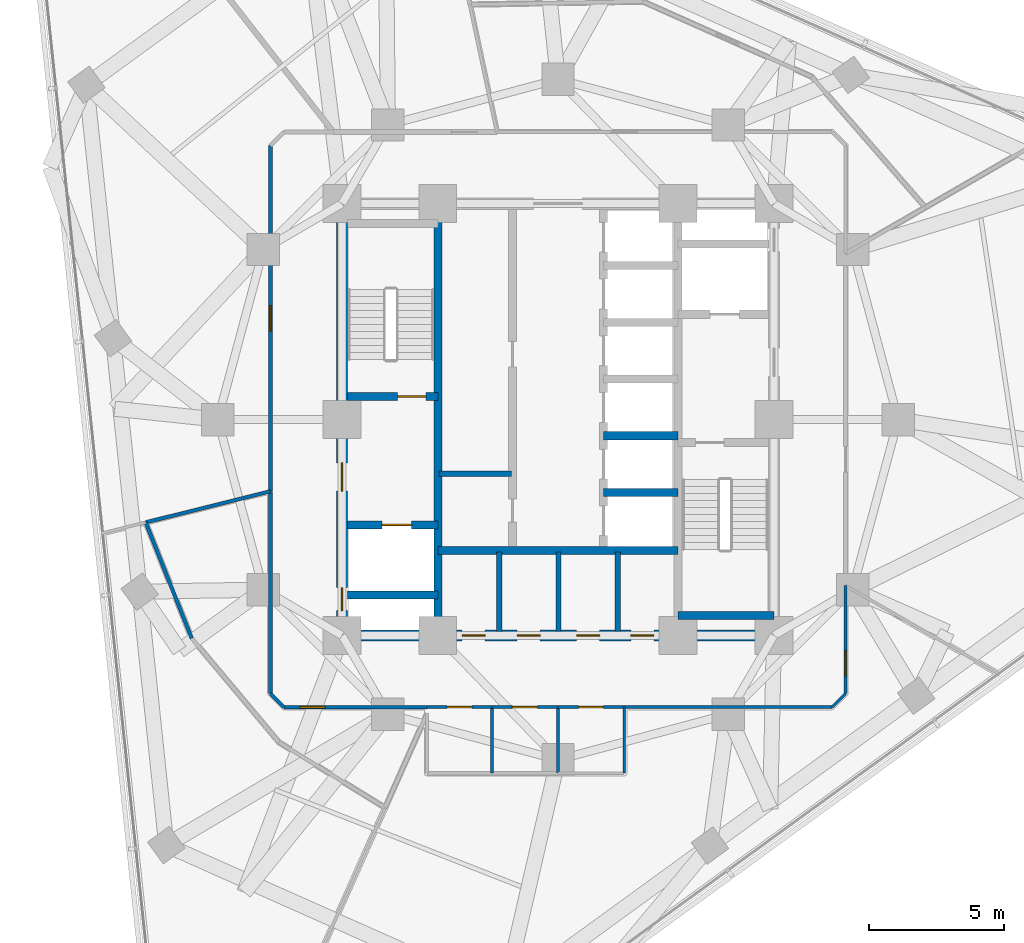
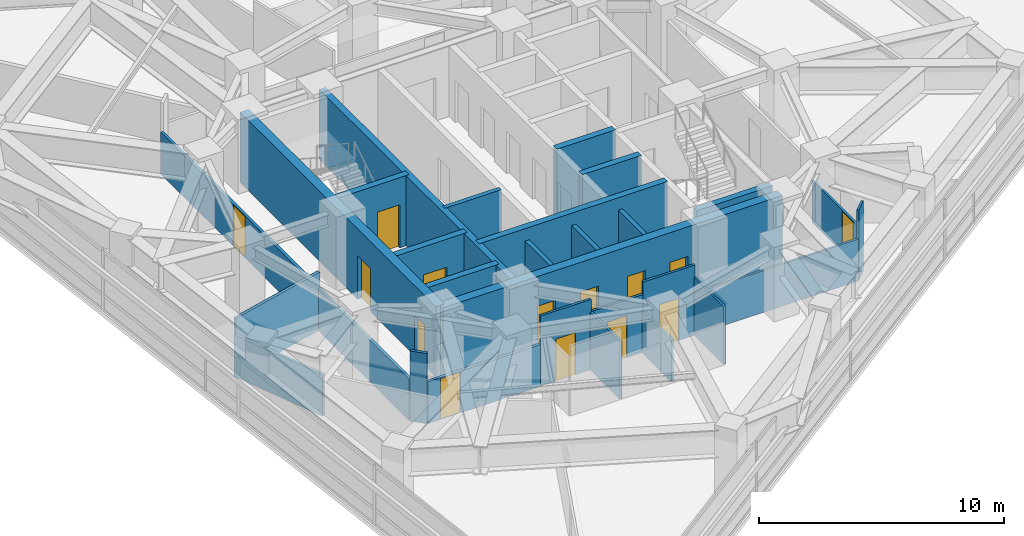
# One storey, part 8 of 14: 29 walls, 14 doors, 14 openings.
"""IFC4 building model written with IfcOpenShell, lengths in metres."""

from ifc_helpers import new_model, si_unit, direction, frame, frame_2d, origin, place, context, subcontext, project, spatial, rectangle, extrude, material, layer, layer_set, type_object, element, fill, save


model = new_model("IFC4")

# Units and contexts
model_context = context("Model", 3, precision=1e-05, world=origin(), true_north=direction((0.0, 1.0)))
body_context = subcontext(model_context, "Body", "Model", "MODEL_VIEW")
ifc_project = project(units=[si_unit("LENGTHUNIT", "METRE"), si_unit("AREAUNIT", "SQUARE_METRE"), si_unit("VOLUMEUNIT", "CUBIC_METRE"), si_unit("PLANEANGLEUNIT", "RADIAN"), si_unit("MASSUNIT", "GRAM", prefix="KILO")], contexts=[model_context])

# Site, building, storey
site_placement = place(None, origin())
site = spatial("IfcSite", under=ifc_project, at=site_placement, CompositionType="ELEMENT")
building_placement = place(site_placement, origin())
building = spatial("IfcBuilding", under=site, at=building_placement, Name="Terralouvre Media Tower", CompositionType="ELEMENT")
storey_placement = place(building_placement, frame((0.0, 0.0, 180.5)))
storey = spatial("IfcBuildingStorey", under=building, at=storey_placement, Name="L46", CompositionType="ELEMENT", Elevation=180.5)

# Wall
ifc_material_1 = material(Name="Concrete C50/60", Category="concrete")
ifc_layer_1 = layer(ifc_material_1, 0.300048828125, Name="Core Internal Shaft Wall CW-300")
ifc_layer_set_1 = layer_set([ifc_layer_1], Name="Concrete C50/60")
wall_type_1 = type_object("IfcWallType", Name="Core Internal Shaft Wall CW-300", PredefinedType="SHEAR", material=ifc_layer_set_1)
wall_1_placement = place(storey_placement, frame((-4.449951171875, -7.7900390625, 0.0), z_axis=(0.0, 0.0, 1.0), x_axis=(0.0, 1.0, 0.0)))
element("IfcWall", 1, at=wall_1_placement, inside=storey, type_object=wall_type_1, Name="L46 Core Shaft Wall SPW", PredefinedType="SHEAR", context=body_context, shape_type="SweptSolid", body=[
    extrude(rectangle(XDim=15.580078125, YDim=0.300048828125, at=frame_2d((7.7900390625, 0.0))), origin(), (0.0, 0.0, 1.0), 3.5),
])

# Wall, opening, door
wall_2_placement = place(storey_placement, frame((-7.7900390625, 0.85009765625, 0.0), z_axis=(0.0, 0.0, 1.0), x_axis=(1.0, 0.0, 0.0)))
wall_2 = element("IfcWall", 2, at=wall_2_placement, inside=storey, type_object=wall_type_1, Name="L46 Core Shaft Wall ST1D", PredefinedType="SHEAR", context=body_context, shape_type="SweptSolid", body=[
    extrude(rectangle(XDim=3.340087890625, YDim=0.300048828125, at=frame_2d((1.669921875, 0.0))), origin(), (0.0, 0.0, 1.0), 3.5),
])
opening_1_placement = place(wall_2_placement, frame((1.85009765625, 0.0, 0.0)))
opening_1 = element("IfcOpeningElement", 3, at=opening_1_placement, cuts=wall_2, Name="Opening FD-01-105X215", PredefinedType="OPENING", context=body_context, shape_type="SweptSolid", body=[
    extrude(rectangle(XDim=1.050048828125, YDim=2.14990234375, at=frame_2d((0.52490234375, 1.074951171875))), frame((0.0, 0.159912109375, 0.0), z_axis=(0.0, -1.0, 0.0), x_axis=(1.0, 0.0, 0.0)), (0.0, 0.0, 1.0), 0.320068359375),
])
ifc_material_2 = material(Name="Galvanised steel fire-resisting leaf", Category="steel")
door_type_1 = type_object("IfcDoorType", Name="Stair and Firefighting Lobby Fire Door FD-01 (1050x2150)", OperationType="NOTDEFINED", PredefinedType="DOOR", material=ifc_material_2)
door_1_placement = place(opening_1_placement, origin())
door_1 = element("IfcDoor", 4, at=door_1_placement, inside=storey, type_object=door_type_1, Name="L46 ST-01 Exit Stair Door", OperationType="SINGLE_SWING_LEFT", OverallHeight=2.14990234375, OverallWidth=1.050048828125, PredefinedType="DOOR", context=body_context, shape_type="SweptSolid", body=[
    extrude(rectangle(XDim=1.050048828125, YDim=2.14990234375, at=frame_2d((0.52490234375, 1.074951171875))), frame((0.0, 0.02490234375, 0.0), z_axis=(0.0, -1.0, 0.0), x_axis=(1.0, 0.0, 0.0)), (0.0, 0.0, 1.0), 0.050048828125),
])
fill(opening_1, door_1)

# Wall
wall_3_placement = place(storey_placement, frame((4.449951171875, -7.260009765625, 0.0), z_axis=(0.0, 0.0, 1.0), x_axis=(1.0, 0.0, 0.0)))
element("IfcWall", 5, at=wall_3_placement, inside=storey, type_object=wall_type_1, Name="L46 Core Shaft Wall ST2F", PredefinedType="SHEAR", context=body_context, shape_type="SweptSolid", body=[
    extrude(rectangle(XDim=3.550048828125, YDim=0.300048828125, at=frame_2d((1.77490234375, 0.0))), origin(), (0.0, 0.0, 1.0), 3.5),
])

# Wall, opening, door
wall_4_placement = place(storey_placement, frame((-7.7900390625, -3.89990234375, 0.0), z_axis=(0.0, 0.0, 1.0), x_axis=(1.0, 0.0, 0.0)))
wall_4 = element("IfcWall", 6, at=wall_4_placement, inside=storey, type_object=wall_type_1, Name="L46 Core Shaft Wall FF1N", PredefinedType="SHEAR", context=body_context, shape_type="SweptSolid", body=[
    extrude(rectangle(XDim=3.340087890625, YDim=0.300048828125, at=frame_2d((1.669921875, 0.0))), origin(), (0.0, 0.0, 1.0), 3.5),
])
opening_2_placement = place(wall_4_placement, frame((1.27001953125, 0.0, 0.0)))
opening_2 = element("IfcOpeningElement", 7, at=opening_2_placement, cuts=wall_4, Name="Opening LD-FF", PredefinedType="OPENING", context=body_context, shape_type="SweptSolid", body=[
    extrude(rectangle(XDim=1.10009765625, YDim=2.10009765625, at=frame_2d((0.550048828125, 1.050048828125))), frame((0.0, 0.159912109375, 0.0), z_axis=(0.0, -1.0, 0.0), x_axis=(1.0, 0.0, 0.0)), (0.0, 0.0, 1.0), 0.320068359375),
])
ifc_material_3 = material(Name="Stainless steel 316 handrail and balustrade", Category="steel")
door_type_2 = type_object("IfcDoorType", Name="Firefighting Lift Sliding Landing Door LD-FF", OperationType="SLIDING_TO_LEFT", PredefinedType="DOOR", material=ifc_material_3)
door_2_placement = place(opening_2_placement, origin())
door_2 = element("IfcDoor", 8, at=door_2_placement, inside=storey, type_object=door_type_2, Name="L46 Firefighting Lift FFL-01 Landing Door", OperationType="SLIDING_TO_LEFT", OverallHeight=2.10009765625, OverallWidth=1.10009765625, PredefinedType="DOOR", context=body_context, shape_type="SweptSolid", body=[
    extrude(rectangle(XDim=1.10009765625, YDim=2.10009765625, at=frame_2d((0.550048828125, 1.050048828125))), frame((0.0, 0.02490234375, 0.0), z_axis=(0.0, -1.0, 0.0), x_axis=(1.0, 0.0, 0.0)), (0.0, 0.0, 1.0), 0.050048828125),
])
fill(opening_2, door_2)

# Walls
wall_5_placement = place(storey_placement, frame((-7.7900390625, -6.5, 0.0), z_axis=(0.0, 0.0, 1.0), x_axis=(1.0, 0.0, 0.0)))
element("IfcWall", 9, at=wall_5_placement, inside=storey, type_object=wall_type_1, Name="L46 Core Shaft Wall FF1S", PredefinedType="SHEAR", context=body_context, shape_type="SweptSolid", body=[
    extrude(rectangle(XDim=3.340087890625, YDim=0.300048828125, at=frame_2d((1.669921875, 0.0))), origin(), (0.0, 0.0, 1.0), 3.5),
])
wall_6_placement = place(storey_placement, frame((-4.449951171875, -4.85009765625, 0.0), z_axis=(0.0, 0.0, 1.0), x_axis=(1.0, 0.0, 0.0)))
element("IfcWall", 10, at=wall_6_placement, inside=storey, type_object=wall_type_1, Name="L46 Core Shaft Wall CSBN", PredefinedType="SHEAR", context=body_context, shape_type="SweptSolid", body=[
    extrude(rectangle(XDim=8.89990234375, YDim=0.300048828125, at=frame_2d((4.449951171875, 0.0))), origin(), (0.0, 0.0, 1.0), 3.5),
])
for number, where, z_axis, x_axis, name in (
    (11, (1.679931640625, -2.699951171875, 0.0), (0.0, 0.0, 1.0), (1.0, 0.0, 0.0), "L46 Core Shaft Wall PLHD1"),
    (12, (1.679931640625, -0.60009765625, 0.0), (0.0, 0.0, 1.0), (1.0, 0.0, 0.0), "L46 Core Shaft Wall PLHD2"),
):
    element("IfcWall", number, at=place(storey_placement, frame(where, z_axis=z_axis, x_axis=x_axis)), inside=storey, type_object=wall_type_1, Name=name, PredefinedType="SHEAR", context=body_context, shape_type="SweptSolid", body=[
        extrude(rectangle(XDim=2.77001953125, YDim=0.300048828125, at=frame_2d((1.385009765625, 0.0))), origin(), (0.0, 0.0, 1.0), 3.5),
    ])

# Wall, openings, doors
ifc_material_4 = material(Name="Concrete C60/75", Category="concrete")
ifc_layer_2 = layer(ifc_material_4, 0.419921875, Name="Core Reinforced Concrete Shear Wall CW-420")
ifc_layer_set_2 = layer_set([ifc_layer_2], Name="Concrete C60/75")
wall_type_2 = type_object("IfcWallType", Name="Core Reinforced Concrete Shear Wall CW-420", PredefinedType="SHEAR", material=ifc_layer_set_2)
wall_7_placement = place(storey_placement, frame((-8.0, -8.0, 0.0), z_axis=(0.0, 0.0, 1.0), x_axis=(0.0, 1.0, 0.0)))
wall_7 = element("IfcWall", 13, at=wall_7_placement, inside=storey, type_object=wall_type_2, Name="L46 W Core Shear Wall", PredefinedType="SHEAR", context=body_context, shape_type="SweptSolid", body=[
    extrude(rectangle(XDim=16.0, YDim=0.419921875, at=frame_2d((8.0, 0.0))), origin(), (0.0, 0.0, 1.0), 3.5),
])
opening_3_placement = place(wall_7_placement, frame((0.921630859375, 0.0, 0.0)))
opening_3 = element("IfcOpeningElement", 14, at=opening_3_placement, cuts=wall_7, Name="Opening TD-R1", PredefinedType="OPENING", context=body_context, shape_type="SweptSolid", body=[
    extrude(rectangle(XDim=0.85009765625, YDim=2.02001953125, at=frame_2d((0.425048828125, 1.010009765625))), frame((0.0, 0.219970703125, 0.0), z_axis=(0.0, -1.0, 0.0), x_axis=(1.0, 0.0, 0.0)), (0.0, 0.0, 1.0), 0.43994140625),
])
opening_4_placement = place(wall_7_placement, frame((5.35009765625, 0.0, 0.0)))
opening_4 = element("IfcOpeningElement", 15, at=opening_4_placement, cuts=wall_7, Name="Opening FD-01-105X215", PredefinedType="OPENING", context=body_context, shape_type="SweptSolid", body=[
    extrude(rectangle(XDim=1.050048828125, YDim=2.14990234375, at=frame_2d((0.52490234375, 1.074951171875))), frame((0.0, 0.219970703125, 0.0), z_axis=(0.0, -1.0, 0.0), x_axis=(1.0, 0.0, 0.0)), (0.0, 0.0, 1.0), 0.43994140625),
])
ifc_material_5 = material(Name="Galvanised steel fire-resisting leaf", Category="steel")
door_type_3 = type_object("IfcDoorType", Name="Riser Inspection Access Trapdoor TD-R1", OperationType="NOTDEFINED", PredefinedType="TRAPDOOR", material=ifc_material_5)
door_3_placement = place(opening_3_placement, origin())
door_3 = element("IfcDoor", 16, at=door_3_placement, inside=storey, type_object=door_type_3, Name="L46 Wet Riser Access Trapdoor", OperationType="SINGLE_SWING_LEFT", OverallHeight=2.02001953125, OverallWidth=0.85009765625, PredefinedType="TRAPDOOR", context=body_context, shape_type="SweptSolid", body=[
    extrude(rectangle(XDim=0.85009765625, YDim=2.02001953125, at=frame_2d((0.425048828125, 1.010009765625))), frame((0.0, 0.02490234375, 0.0), z_axis=(0.0, -1.0, 0.0), x_axis=(1.0, 0.0, 0.0)), (0.0, 0.0, 1.0), 0.050048828125),
])
fill(opening_3, door_3)
door_4_placement = place(opening_4_placement, origin())
door_4 = element("IfcDoor", 17, at=door_4_placement, inside=storey, type_object=door_type_1, Name="L46 West Firefighting Lobby Entry Door", OperationType="SINGLE_SWING_RIGHT", OverallHeight=2.14990234375, OverallWidth=1.050048828125, PredefinedType="DOOR", context=body_context, shape_type="SweptSolid", body=[
    extrude(rectangle(XDim=1.050048828125, YDim=2.14990234375, at=frame_2d((0.52490234375, 1.074951171875))), frame((0.0, 0.02490234375, 0.0), z_axis=(0.0, -1.0, 0.0), x_axis=(1.0, 0.0, 0.0)), (0.0, 0.0, 1.0), 0.050048828125),
])
fill(opening_4, door_4)

wall_8_placement = place(storey_placement, frame((-8.0, -8.0, 0.0), z_axis=(0.0, 0.0, 1.0), x_axis=(1.0, 0.0, 0.0)))
wall_8 = element("IfcWall", 18, at=wall_8_placement, inside=storey, type_object=wall_type_2, Name="L46 S Core Shear Wall", PredefinedType="SHEAR", context=body_context, shape_type="SweptSolid", body=[
    extrude(rectangle(XDim=16.0, YDim=0.419921875, at=frame_2d((8.0, 0.0))), origin(), (0.0, 0.0, 1.0), 3.5),
])
opening_5_placement = place(wall_8_placement, frame((4.44873046875, 0.0, 0.0)))
opening_5 = element("IfcOpeningElement", 19, at=opening_5_placement, cuts=wall_8, Name="Opening TD-R1", PredefinedType="OPENING", context=body_context, shape_type="SweptSolid", body=[
    extrude(rectangle(XDim=0.85009765625, YDim=2.02001953125, at=frame_2d((0.425048828125, 1.010009765625))), frame((0.0, 0.219970703125, 0.0), z_axis=(0.0, -1.0, 0.0), x_axis=(1.0, 0.0, 0.0)), (0.0, 0.0, 1.0), 0.43994140625),
])
opening_6_placement = place(wall_8_placement, frame((6.489990234375, 0.0, 0.0)))
opening_6 = element("IfcOpeningElement", 20, at=opening_6_placement, cuts=wall_8, Name="Opening TD-R1", PredefinedType="OPENING", context=body_context, shape_type="SweptSolid", body=[
    extrude(rectangle(XDim=0.85009765625, YDim=2.02001953125, at=frame_2d((0.425048828125, 1.010009765625))), frame((0.0, 0.219970703125, 0.0), z_axis=(0.0, -1.0, 0.0), x_axis=(1.0, 0.0, 0.0)), (0.0, 0.0, 1.0), 0.43994140625),
])
opening_7_placement = place(wall_8_placement, frame((8.68994140625, 0.0, 0.0)))
opening_7 = element("IfcOpeningElement", 21, at=opening_7_placement, cuts=wall_8, Name="Opening TD-R1", PredefinedType="OPENING", context=body_context, shape_type="SweptSolid", body=[
    extrude(rectangle(XDim=0.85009765625, YDim=2.02001953125, at=frame_2d((0.425048828125, 1.010009765625))), frame((0.0, 0.219970703125, 0.0), z_axis=(0.0, -1.0, 0.0), x_axis=(1.0, 0.0, 0.0)), (0.0, 0.0, 1.0), 0.43994140625),
])
opening_8_placement = place(wall_8_placement, frame((10.701416015625, 0.0, 0.0)))
opening_8 = element("IfcOpeningElement", 22, at=opening_8_placement, cuts=wall_8, Name="Opening TD-R1", PredefinedType="OPENING", context=body_context, shape_type="SweptSolid", body=[
    extrude(rectangle(XDim=0.85009765625, YDim=2.02001953125, at=frame_2d((0.425048828125, 1.010009765625))), frame((0.0, 0.219970703125, 0.0), z_axis=(0.0, -1.0, 0.0), x_axis=(1.0, 0.0, 0.0)), (0.0, 0.0, 1.0), 0.43994140625),
])
door_5_placement = place(opening_5_placement, origin())
door_5 = element("IfcDoor", 23, at=door_5_placement, inside=storey, type_object=door_type_3, Name="L46 Core Battery Plant Door", OperationType="SINGLE_SWING_LEFT", OverallHeight=2.02001953125, OverallWidth=0.85009765625, PredefinedType="TRAPDOOR", context=body_context, shape_type="SweptSolid", body=[
    extrude(rectangle(XDim=0.85009765625, YDim=2.02001953125, at=frame_2d((0.425048828125, 1.010009765625))), frame((0.0, 0.02490234375, 0.0), z_axis=(0.0, -1.0, 0.0), x_axis=(1.0, 0.0, 0.0)), (0.0, 0.0, 1.0), 0.050048828125),
])
fill(opening_5, door_5)
door_6_placement = place(opening_6_placement, origin())
door_6 = element("IfcDoor", 24, at=door_6_placement, inside=storey, type_object=door_type_3, Name="L46 Core IT Patch Plant Door", OperationType="SINGLE_SWING_RIGHT", OverallHeight=2.02001953125, OverallWidth=0.85009765625, PredefinedType="TRAPDOOR", context=body_context, shape_type="SweptSolid", body=[
    extrude(rectangle(XDim=0.85009765625, YDim=2.02001953125, at=frame_2d((0.425048828125, 1.010009765625))), frame((0.0, 0.02490234375, 0.0), z_axis=(0.0, -1.0, 0.0), x_axis=(1.0, 0.0, 0.0)), (0.0, 0.0, 1.0), 0.050048828125),
])
fill(opening_6, door_6)
door_7_placement = place(opening_7_placement, origin())
door_7 = element("IfcDoor", 25, at=door_7_placement, inside=storey, type_object=door_type_3, Name="L46 Core Housekeeping Store Door", OperationType="SINGLE_SWING_LEFT", OverallHeight=2.02001953125, OverallWidth=0.85009765625, PredefinedType="TRAPDOOR", context=body_context, shape_type="SweptSolid", body=[
    extrude(rectangle(XDim=0.85009765625, YDim=2.02001953125, at=frame_2d((0.425048828125, 1.010009765625))), frame((0.0, 0.02490234375, 0.0), z_axis=(0.0, -1.0, 0.0), x_axis=(1.0, 0.0, 0.0)), (0.0, 0.0, 1.0), 0.050048828125),
])
fill(opening_7, door_7)
door_8_placement = place(opening_8_placement, origin())
door_8 = element("IfcDoor", 26, at=door_8_placement, inside=storey, type_object=door_type_3, Name="L46 Core Smoke Damper Plant Door", OperationType="SINGLE_SWING_RIGHT", OverallHeight=2.02001953125, OverallWidth=0.85009765625, PredefinedType="TRAPDOOR", context=body_context, shape_type="SweptSolid", body=[
    extrude(rectangle(XDim=0.85009765625, YDim=2.02001953125, at=frame_2d((0.425048828125, 1.010009765625))), frame((0.0, 0.02490234375, 0.0), z_axis=(0.0, -1.0, 0.0), x_axis=(1.0, 0.0, 0.0)), (0.0, 0.0, 1.0), 0.050048828125),
])
fill(opening_8, door_8)

# Walls
ifc_material_6 = material(Name="Low-iron laminated double glazing with solar-control coating", Category="glass")
ifc_layer_3 = layer(ifc_material_6, 0.10009765625, Name="Demountable Glazed Office Partition PT-GL100")
ifc_layer_set_3 = layer_set([ifc_layer_3], Name="Low-iron laminated double glazing with solar-control coating")
wall_type_3 = type_object("IfcWallType", Name="Demountable Glazed Office Partition PT-GL100", PredefinedType="MOVABLE", material=ifc_layer_set_3)
wall_9_placement = place(storey_placement, frame((2.449951171875, -10.64990234375, 0.0), z_axis=(0.0, 0.0, 1.0), x_axis=(1.0, 0.0, 0.0)))
element("IfcWall", 27, at=wall_9_placement, inside=storey, type_object=wall_type_3, Name="L46 Interior Partition 006", PredefinedType="MOVABLE", context=body_context, shape_type="SweptSolid", body=[
    extrude(rectangle(XDim=7.699951171875, YDim=0.10009765625, at=frame_2d((3.85009765625, 0.0))), origin(), (0.0, 0.0, 1.0), 2.0849609375),
])
wall_10_placement = place(storey_placement, frame((10.14990234375, -10.64990234375, 0.0), z_axis=(0.0, 0.0, 1.0), x_axis=(0.707106781187, 0.707106781187, 0.0)))
element("IfcWall", 28, at=wall_10_placement, inside=storey, type_object=wall_type_3, Name="L46 Interior Partition 007", PredefinedType="MOVABLE", context=body_context, shape_type="SweptSolid", body=[
    extrude(rectangle(XDim=0.70703125, YDim=0.10009765625, at=frame_2d((0.353515625, 0.0))), origin(), (0.0, 0.0, 1.0), 3.5),
])

# Wall, opening, door
wall_11_placement = place(storey_placement, frame((10.64990234375, -10.14990234375, 0.0), z_axis=(0.0, 0.0, 1.0), x_axis=(0.0, 1.0, 0.0)))
wall_11 = element("IfcWall", 29, at=wall_11_placement, inside=storey, type_object=wall_type_3, Name="L46 Interior Partition 008", PredefinedType="MOVABLE", context=body_context, shape_type="SweptSolid", body=[
    extrude(rectangle(XDim=4.0009765625, YDim=0.10009765625, at=frame_2d((2.00048828125, 0.0))), origin(), (0.0, 0.0, 1.0), 2.0849609375),
])
opening_9_placement = place(wall_11_placement, frame((0.660400390625, 0.0, 0.0)))
opening_9 = element("IfcOpeningElement", 30, at=opening_9_placement, cuts=wall_11, Name="Opening ID-03-92X206", PredefinedType="OPENING", context=body_context, shape_type="SweptSolid", body=[
    extrude(rectangle(XDim=0.919921875, YDim=2.034912109375, at=frame_2d((0.4599609375, 1.017578125))), frame((0.0, 0.06005859375, 0.0), z_axis=(0.0, -1.0, 0.0), x_axis=(1.0, 0.0, 0.0)), (0.0, 0.0, 1.0), 0.1201171875),
])
ifc_material_7 = material(Name="Engineered hardwood acoustic timber leaf", Category="wood")
door_type_4 = type_object("IfcDoorType", Name="Accessible Restroom and Suite Door ID-03 (920x2065)", OperationType="NOTDEFINED", PredefinedType="DOOR", material=ifc_material_7)
door_9_placement = place(opening_9_placement, origin())
door_9 = element("IfcDoor", 31, at=door_9_placement, inside=storey, type_object=door_type_4, Name="L46 Design Critique Boardroom 3 Door", OperationType="SINGLE_SWING_LEFT", OverallHeight=2.034912109375, OverallWidth=0.919921875, PredefinedType="DOOR", context=body_context, shape_type="SweptSolid", body=[
    extrude(rectangle(XDim=0.919921875, YDim=2.034912109375, at=frame_2d((0.4599609375, 1.017578125))), frame((0.0, 0.02490234375, 0.0), z_axis=(0.0, -1.0, 0.0), x_axis=(1.0, 0.0, 0.0)), (0.0, 0.0, 1.0), 0.050048828125),
])
fill(opening_9, door_9)

# Walls
wall_12_placement = place(storey_placement, frame((2.449951171875, -10.64990234375, 0.0), z_axis=(0.0, 0.0, 1.0), x_axis=(0.0, -1.0, 0.0)))
element("IfcWall", 32, at=wall_12_placement, inside=storey, type_object=wall_type_3, Name="L46 Interior Partition 030", PredefinedType="MOVABLE", context=body_context, shape_type="SweptSolid", body=[
    extrude(rectangle(XDim=2.4501953125, YDim=0.10009765625, at=frame_2d((1.22509765625, 0.0))), origin(), (0.0, 0.0, 1.0), 2.885009765625),
])
ifc_material_8 = material(Name="Fire-rated gypsum board drywall partition")
ifc_layer_4 = layer(ifc_material_8, 0.199951171875, Name="Fire-Rated Shaft and Lobby Partition FW-200")
ifc_layer_set_4 = layer_set([ifc_layer_4], Name="Fire-rated gypsum board drywall partition")
wall_type_4 = type_object("IfcWallType", Name="Fire-Rated Shaft and Lobby Partition FW-200", PredefinedType="SOLIDWALL", material=ifc_layer_set_4)
for number, where, z_axis, x_axis, name in (
    (33, (-2.179931640625, -7.85009765625, 0.0), (0.0, 0.0, 1.0), (0.0, 1.0, 0.0), "L46 Core Service Bay Partition 1"),
    (34, (0.02001953125, -7.85009765625, 0.0), (0.0, 0.0, 1.0), (0.0, 1.0, 0.0), "L46 Core Service Bay Partition 2"),
    (35, (2.219970703125, -7.85009765625, 0.0), (0.0, 0.0, 1.0), (0.0, 1.0, 0.0), "L46 Core Service Bay Partition 3"),
):
    element("IfcWall", number, at=place(storey_placement, frame(where, z_axis=z_axis, x_axis=x_axis)), inside=storey, type_object=wall_type_4, Name=name, PredefinedType="SOLIDWALL", context=body_context, shape_type="SweptSolid", body=[
        extrude(rectangle(XDim=2.9501953125, YDim=0.199951171875, at=frame_2d((1.47509765625, 0.0))), origin(), (0.0, 0.0, 1.0), 2.885009765625),
    ])
wall_13_placement = place(storey_placement, frame((-4.39990234375, -2.010009765625, 0.0), z_axis=(0.0, 0.0, 1.0), x_axis=(1.0, 0.0, 0.0)))
element("IfcWall", 36, at=wall_13_placement, inside=storey, type_object=wall_type_4, Name="L46 Core West Sub-Partition 1", PredefinedType="SOLIDWALL", context=body_context, shape_type="SweptSolid", body=[
    extrude(rectangle(XDim=2.679931640625, YDim=0.199951171875, at=frame_2d((1.33984375, 0.0))), origin(), (0.0, 0.0, 1.0), 3.5),
])
ifc_material_9 = material(Name="Fire-rated gypsum board drywall partition")
ifc_layer_5 = layer(ifc_material_9, 0.135009765625, Name="Newsroom Acoustic Partition PT-135")
ifc_layer_set_5 = layer_set([ifc_layer_5], Name="Fire-rated gypsum board drywall partition")
wall_type_5 = type_object("IfcWallType", Name="Newsroom Acoustic Partition PT-135", PredefinedType="PARTITIONING", material=ifc_layer_set_5)
wall_14_placement = place(storey_placement, frame((-10.64990234375, -2.655029296875, 0.0), z_axis=(0.0, 0.0, 1.0), x_axis=(0.0, -1.0, 0.0)))
element("IfcWall", 37, at=wall_14_placement, inside=storey, type_object=wall_type_5, Name="L46 Interior Partition 001", PredefinedType="PARTITIONING", context=body_context, shape_type="SweptSolid", body=[
    extrude(rectangle(XDim=7.494873046875, YDim=0.135009765625, at=frame_2d((3.74755859375, 0.0))), origin(), (0.0, 0.0, 1.0), 2.0849609375),
])
wall_15_placement = place(storey_placement, frame((-10.64990234375, -10.14990234375, 0.0), z_axis=(0.0, 0.0, 1.0), x_axis=(0.707106781187, -0.707106781187, 0.0)))
element("IfcWall", 38, at=wall_15_placement, inside=storey, type_object=wall_type_5, Name="L46 Interior Partition 002", PredefinedType="PARTITIONING", context=body_context, shape_type="SweptSolid", body=[
    extrude(rectangle(XDim=0.70703125, YDim=0.135009765625, at=frame_2d((0.353515625, 0.0))), origin(), (0.0, 0.0, 1.0), 3.5),
])

# Wall, opening, door
wall_16_placement = place(storey_placement, frame((-10.14990234375, -10.64990234375, 0.0), z_axis=(0.0, 0.0, 1.0), x_axis=(1.0, 0.0, 0.0)))
wall_16 = element("IfcWall", 39, at=wall_16_placement, inside=storey, type_object=wall_type_5, Name="L46 Interior Partition 003", PredefinedType="PARTITIONING", context=body_context, shape_type="SweptSolid", body=[
    extrude(rectangle(XDim=5.2998046875, YDim=0.135009765625, at=frame_2d((2.64990234375, 0.0))), origin(), (0.0, 0.0, 1.0), 2.0849609375),
])
opening_10_placement = place(wall_16_placement, frame((0.5849609375, 0.0, 0.0)))
opening_10 = element("IfcOpeningElement", 40, at=opening_10_placement, cuts=wall_16, Name="Opening ID-02-95X206", PredefinedType="OPENING", context=body_context, shape_type="SweptSolid", body=[
    extrude(rectangle(XDim=0.949951171875, YDim=2.034912109375, at=frame_2d((0.47509765625, 1.017578125))), frame((0.0, 0.077392578125, 0.0), z_axis=(0.0, -1.0, 0.0), x_axis=(1.0, 0.0, 0.0)), (0.0, 0.0, 1.0), 0.155029296875),
])
ifc_material_10 = material(Name="Engineered hardwood acoustic timber leaf", Category="wood")
door_type_5 = type_object("IfcDoorType", Name="Office and Meeting Room Door ID-02 (950x2065)", OperationType="NOTDEFINED", PredefinedType="DOOR", material=ifc_material_10)
door_10_placement = place(opening_10_placement, origin())
door_10 = element("IfcDoor", 41, at=door_10_placement, inside=storey, type_object=door_type_5, Name="L46 Data Visualization Workspace 1 Door", OperationType="SINGLE_SWING_RIGHT", OverallHeight=2.034912109375, OverallWidth=0.949951171875, PredefinedType="DOOR", context=body_context, shape_type="SweptSolid", body=[
    extrude(rectangle(XDim=0.949951171875, YDim=2.034912109375, at=frame_2d((0.47509765625, 1.017578125))), frame((0.0, 0.02490234375, 0.0), z_axis=(0.0, -1.0, 0.0), x_axis=(1.0, 0.0, 0.0)), (0.0, 0.0, 1.0), 0.050048828125),
])
fill(opening_10, door_10)

wall_17_placement = place(storey_placement, frame((-10.64990234375, 10.14990234375, 0.0), z_axis=(0.0, 0.0, 1.0), x_axis=(0.0, -1.0, 0.0)))
wall_17 = element("IfcWall", 42, at=wall_17_placement, inside=storey, type_object=wall_type_5, Name="L46 Interior Partition 017", PredefinedType="PARTITIONING", context=body_context, shape_type="SweptSolid", body=[
    extrude(rectangle(XDim=12.804931640625, YDim=0.135009765625, at=frame_2d((6.40234375, 0.0))), origin(), (0.0, 0.0, 1.0), 2.0849609375),
])
opening_11_placement = place(wall_17_placement, frame((5.927490234375, 0.0, 0.0)))
opening_11 = element("IfcOpeningElement", 43, at=opening_11_placement, cuts=wall_17, Name="Opening ID-02-95X206", PredefinedType="OPENING", context=body_context, shape_type="SweptSolid", body=[
    extrude(rectangle(XDim=0.949951171875, YDim=2.034912109375, at=frame_2d((0.47509765625, 1.017578125))), frame((0.0, 0.077392578125, 0.0), z_axis=(0.0, -1.0, 0.0), x_axis=(1.0, 0.0, 0.0)), (0.0, 0.0, 1.0), 0.155029296875),
])
door_11_placement = place(opening_11_placement, origin())
door_11 = element("IfcDoor", 44, at=door_11_placement, inside=storey, type_object=door_type_5, Name="L46 Hardware Prototype Storage 8 Door", OperationType="SINGLE_SWING_RIGHT", OverallHeight=2.034912109375, OverallWidth=0.949951171875, PredefinedType="DOOR", context=body_context, shape_type="SweptSolid", body=[
    extrude(rectangle(XDim=0.949951171875, YDim=2.034912109375, at=frame_2d((0.47509765625, 1.017578125))), frame((0.0, 0.02490234375, 0.0), z_axis=(0.0, -1.0, 0.0), x_axis=(1.0, 0.0, 0.0)), (0.0, 0.0, 1.0), 0.050048828125),
])
fill(opening_11, door_11)

# Walls
wall_18_placement = place(storey_placement, frame((-15.27099609375, -3.80810546875, 0.0), z_axis=(0.0, 0.0, 1.0), x_axis=(0.369182774414, -0.929356809345, 0.0)))
element("IfcWall", 45, at=wall_18_placement, inside=storey, type_object=wall_type_5, Name="L46 Interior Partition 018", PredefinedType="PARTITIONING", context=body_context, shape_type="SweptSolid", body=[
    extrude(rectangle(XDim=4.615966796875, YDim=0.135009765625, at=frame_2d((2.30810546875, 0.0))), origin(), (0.0, 0.0, 1.0), 2.0849609375),
])
wall_19_placement = place(storey_placement, frame((-10.64990234375, -2.655029296875, 0.0), z_axis=(0.0, 0.0, 1.0), x_axis=(-0.970250953753, -0.242101397643, 0.0)))
element("IfcWall", 46, at=wall_19_placement, inside=storey, type_object=wall_type_5, Name="L46 Interior Partition 022", PredefinedType="PARTITIONING", context=body_context, shape_type="SweptSolid", body=[
    extrude(rectangle(XDim=4.7626953125, YDim=0.135009765625, at=frame_2d((2.38134765625, 0.0))), origin(), (0.0, 0.0, 1.0), 2.885009765625),
])

# Wall, opening, door
ifc_material_11 = material(Name="Fire-rated gypsum board drywall partition")
ifc_layer_6 = layer(ifc_material_11, 0.114990234375, Name="Restroom and Pantry Partition PT-115")
ifc_layer_set_6 = layer_set([ifc_layer_6], Name="Fire-rated gypsum board drywall partition")
wall_type_6 = type_object("IfcWallType", Name="Restroom and Pantry Partition PT-115", PredefinedType="PARTITIONING", material=ifc_layer_set_6)
wall_20_placement = place(storey_placement, frame((-4.85009765625, -10.64990234375, 0.0), z_axis=(0.0, 0.0, 1.0), x_axis=(1.0, 0.0, 0.0)))
wall_20 = element("IfcWall", 47, at=wall_20_placement, inside=storey, type_object=wall_type_6, Name="L46 Interior Partition 004", PredefinedType="PARTITIONING", context=body_context, shape_type="SweptSolid", body=[
    extrude(rectangle(XDim=2.400146484375, YDim=0.114990234375, at=frame_2d((1.2001953125, 0.0))), origin(), (0.0, 0.0, 1.0), 3.5),
])
opening_12_placement = place(wall_20_placement, frame((0.739990234375, 0.0, 0.0)))
opening_12 = element("IfcOpeningElement", 48, at=opening_12_placement, cuts=wall_20, Name="Opening ID-03-92X210", PredefinedType="OPENING", context=body_context, shape_type="SweptSolid", body=[
    extrude(rectangle(XDim=0.919921875, YDim=2.10009765625, at=frame_2d((0.4599609375, 1.050048828125))), frame((0.0, 0.0673828125, 0.0), z_axis=(0.0, -1.0, 0.0), x_axis=(1.0, 0.0, 0.0)), (0.0, 0.0, 1.0), 0.135009765625),
])
ifc_material_12 = material(Name="Engineered hardwood acoustic timber leaf", Category="wood")
door_type_6 = type_object("IfcDoorType", Name="Accessible Restroom and Suite Door ID-03 (920x2100)", OperationType="NOTDEFINED", PredefinedType="DOOR", material=ifc_material_12)
door_12_placement = place(opening_12_placement, origin())
door_12 = element("IfcDoor", 49, at=door_12_placement, inside=storey, type_object=door_type_6, Name="L46 Male Restroom WC Door", OperationType="SINGLE_SWING_LEFT", OverallHeight=2.10009765625, OverallWidth=0.919921875, PredefinedType="DOOR", context=body_context, shape_type="SweptSolid", body=[
    extrude(rectangle(XDim=0.919921875, YDim=2.10009765625, at=frame_2d((0.4599609375, 1.050048828125))), frame((0.0, 0.02490234375, 0.0), z_axis=(0.0, -1.0, 0.0), x_axis=(1.0, 0.0, 0.0)), (0.0, 0.0, 1.0), 0.050048828125),
])
fill(opening_12, door_12)

wall_21_placement = place(storey_placement, frame((-2.449951171875, -10.64990234375, 0.0), z_axis=(0.0, 0.0, 1.0), x_axis=(1.0, 0.0, 0.0)))
wall_21 = element("IfcWall", 50, at=wall_21_placement, inside=storey, type_object=wall_type_6, Name="L46 Interior Partition 005", PredefinedType="PARTITIONING", context=body_context, shape_type="SweptSolid", body=[
    extrude(rectangle(XDim=2.449951171875, YDim=0.114990234375, at=frame_2d((1.22509765625, 0.0))), origin(), (0.0, 0.0, 1.0), 2.885009765625),
])
opening_13_placement = place(wall_21_placement, frame((0.764892578125, 0.0, 0.0)))
opening_13 = element("IfcOpeningElement", 51, at=opening_13_placement, cuts=wall_21, Name="Opening ID-03-92X210", PredefinedType="OPENING", context=body_context, shape_type="SweptSolid", body=[
    extrude(rectangle(XDim=0.919921875, YDim=2.10009765625, at=frame_2d((0.4599609375, 1.050048828125))), frame((0.0, 0.0673828125, 0.0), z_axis=(0.0, -1.0, 0.0), x_axis=(1.0, 0.0, 0.0)), (0.0, 0.0, 1.0), 0.135009765625),
])
door_13_placement = place(opening_13_placement, origin())
door_13 = element("IfcDoor", 52, at=door_13_placement, inside=storey, type_object=door_type_6, Name="L46 Female Restroom WC Door", OperationType="SINGLE_SWING_RIGHT", OverallHeight=2.10009765625, OverallWidth=0.919921875, PredefinedType="DOOR", context=body_context, shape_type="SweptSolid", body=[
    extrude(rectangle(XDim=0.919921875, YDim=2.10009765625, at=frame_2d((0.4599609375, 1.050048828125))), frame((0.0, 0.02490234375, 0.0), z_axis=(0.0, -1.0, 0.0), x_axis=(1.0, 0.0, 0.0)), (0.0, 0.0, 1.0), 0.050048828125),
])
fill(opening_13, door_13)

wall_22_placement = place(storey_placement, frame((0.0, -10.64990234375, 0.0), z_axis=(0.0, 0.0, 1.0), x_axis=(1.0, 0.0, 0.0)))
wall_22 = element("IfcWall", 53, at=wall_22_placement, inside=storey, type_object=wall_type_6, Name="L46 Interior Partition 009", PredefinedType="PARTITIONING", context=body_context, shape_type="SweptSolid", body=[
    extrude(rectangle(XDim=2.449951171875, YDim=0.114990234375, at=frame_2d((1.22509765625, 0.0))), origin(), (0.0, 0.0, 1.0), 3.5),
])
opening_14_placement = place(wall_22_placement, frame((0.764892578125, 0.0, 0.0)))
opening_14 = element("IfcOpeningElement", 54, at=opening_14_placement, cuts=wall_22, Name="Opening ID-03-92X210", PredefinedType="OPENING", context=body_context, shape_type="SweptSolid", body=[
    extrude(rectangle(XDim=0.919921875, YDim=2.10009765625, at=frame_2d((0.4599609375, 1.050048828125))), frame((0.0, 0.0673828125, 0.0), z_axis=(0.0, -1.0, 0.0), x_axis=(1.0, 0.0, 0.0)), (0.0, 0.0, 1.0), 0.135009765625),
])
door_14_placement = place(opening_14_placement, origin())
door_14 = element("IfcDoor", 55, at=door_14_placement, inside=storey, type_object=door_type_6, Name="L46 Accessible Unisex WC Door", OperationType="SINGLE_SWING_RIGHT", OverallHeight=2.10009765625, OverallWidth=0.919921875, PredefinedType="DOOR", context=body_context, shape_type="SweptSolid", body=[
    extrude(rectangle(XDim=0.919921875, YDim=2.10009765625, at=frame_2d((0.4599609375, 1.050048828125))), frame((0.0, 0.02490234375, 0.0), z_axis=(0.0, -1.0, 0.0), x_axis=(1.0, 0.0, 0.0)), (0.0, 0.0, 1.0), 0.050048828125),
])
fill(opening_14, door_14)

# Walls
wall_23_placement = place(storey_placement, frame((-2.449951171875, -13.10009765625, 0.0), z_axis=(0.0, 0.0, 1.0), x_axis=(0.0, 1.0, 0.0)))
element("IfcWall", 56, at=wall_23_placement, inside=storey, type_object=wall_type_6, Name="L46 Interior Partition 025", PredefinedType="PARTITIONING", context=body_context, shape_type="SweptSolid", body=[
    extrude(rectangle(XDim=2.4501953125, YDim=0.114990234375, at=frame_2d((1.22509765625, 0.0))), origin(), (0.0, 0.0, 1.0), 2.885009765625),
])
wall_24_placement = place(storey_placement, frame((0.0, -13.10009765625, 0.0), z_axis=(0.0, 0.0, 1.0), x_axis=(0.0, 1.0, 0.0)))
element("IfcWall", 57, at=wall_24_placement, inside=storey, type_object=wall_type_6, Name="L46 Interior Partition 029", PredefinedType="PARTITIONING", context=body_context, shape_type="SweptSolid", body=[
    extrude(rectangle(XDim=2.4501953125, YDim=0.114990234375, at=frame_2d((1.22509765625, 0.0))), origin(), (0.0, 0.0, 1.0), 2.0849609375),
])

save(model, "model.ifc")
